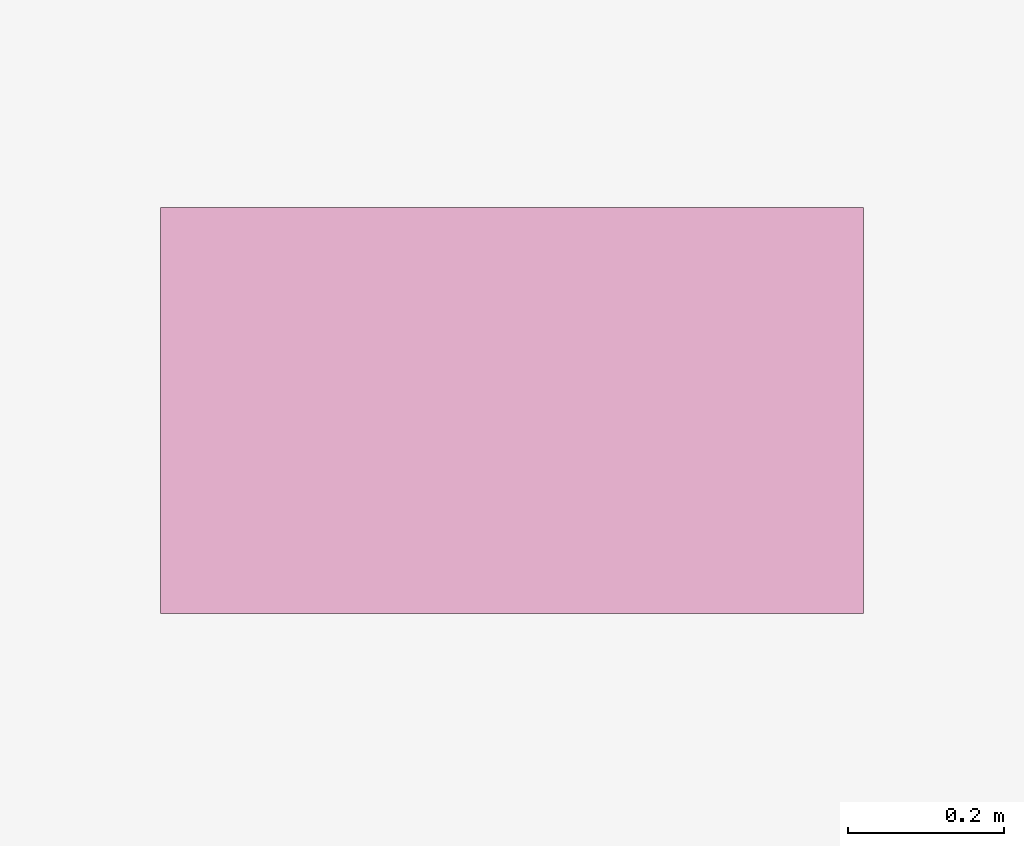
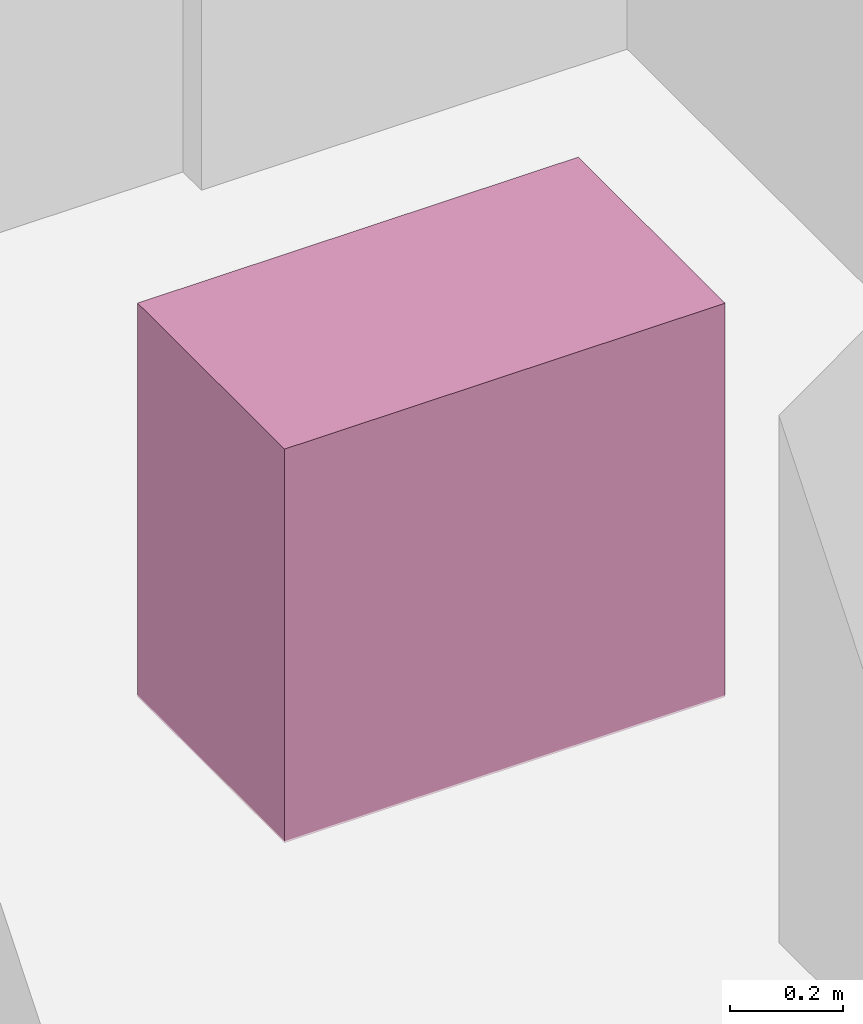
# One storey, part 30 of 30: 1 furnishing.
"""IFC4 building model written with IfcOpenShell, lengths in metres."""

from ifc_helpers import new_model, si_unit, direction, frame, origin, origin_2d, place, context, subcontext, project, spatial, rectangle, extrude, material, type_object, element, save


model = new_model("IFC4")

# Units and contexts
model_context = context("Model", 3, precision=1e-05, world=origin(), true_north=direction((0.0, 1.0)))
body_context = subcontext(model_context, "Body", "Model", "MODEL_VIEW")
ifc_project = project(units=[si_unit("LENGTHUNIT", "METRE"), si_unit("AREAUNIT", "SQUARE_METRE"), si_unit("VOLUMEUNIT", "CUBIC_METRE"), si_unit("PLANEANGLEUNIT", "RADIAN"), si_unit("MASSUNIT", "GRAM", prefix="KILO")], contexts=[model_context])

# Site, building, storey
site_placement = place(None, origin())
site = spatial("IfcSite", under=ifc_project, at=site_placement, CompositionType="ELEMENT")
building_placement = place(site_placement, origin())
building = spatial("IfcBuilding", under=site, at=building_placement, Name="Vorneva Point Tower", CompositionType="ELEMENT")
storey_placement = place(building_placement, frame((0.0, 0.0, 55.5)))
storey = spatial("IfcBuildingStorey", under=building, at=storey_placement, Name="L14", CompositionType="ELEMENT", Elevation=55.5)

# Furnishing
ifc_material = material(Name="Vitreous china and granite top", Category="masonry")
furniture_type = type_object("IfcFurnitureType", Name="FUR-VAN-900", AssemblyPlace="NOTDEFINED", PredefinedType="NOTDEFINED", material=ifc_material)
furnishing_placement = place(storey_placement, frame((34.85009765625, 32.1201171875, -0.005126953125), z_axis=(0.0, 0.0, 1.0), x_axis=(1.0, 0.0, 0.0)))
element("IfcFurnishingElement", 1, at=furnishing_placement, inside=storey, type_object=furniture_type, Name="L14 Public Male WC Vanity Unit", ObjectType="L14 Public Male WC Vanity Unit", context=body_context, shape_type="SweptSolid", body=[
    extrude(rectangle(XDim=0.89990234375, YDim=0.52001953125, at=origin_2d()), origin(), (0.0, 0.0, 1.0), 0.85009765625),
])

save(model, "model.ifc")
